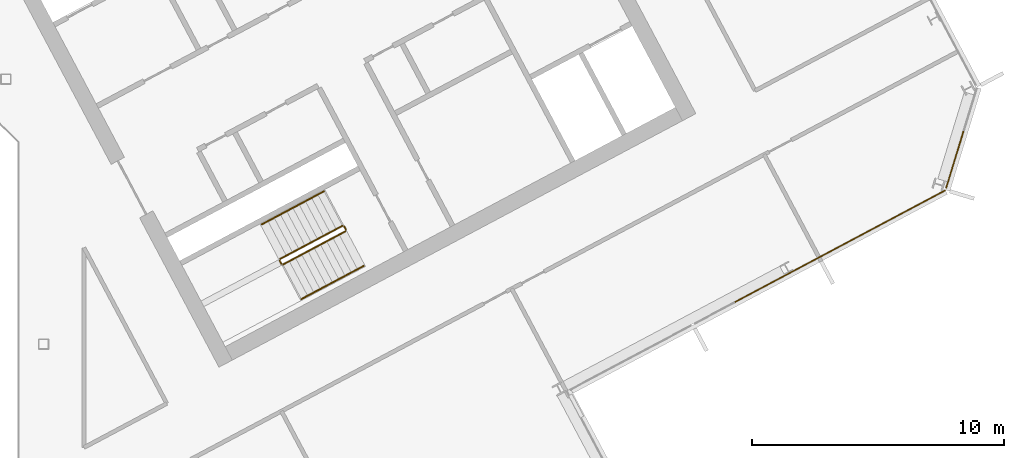
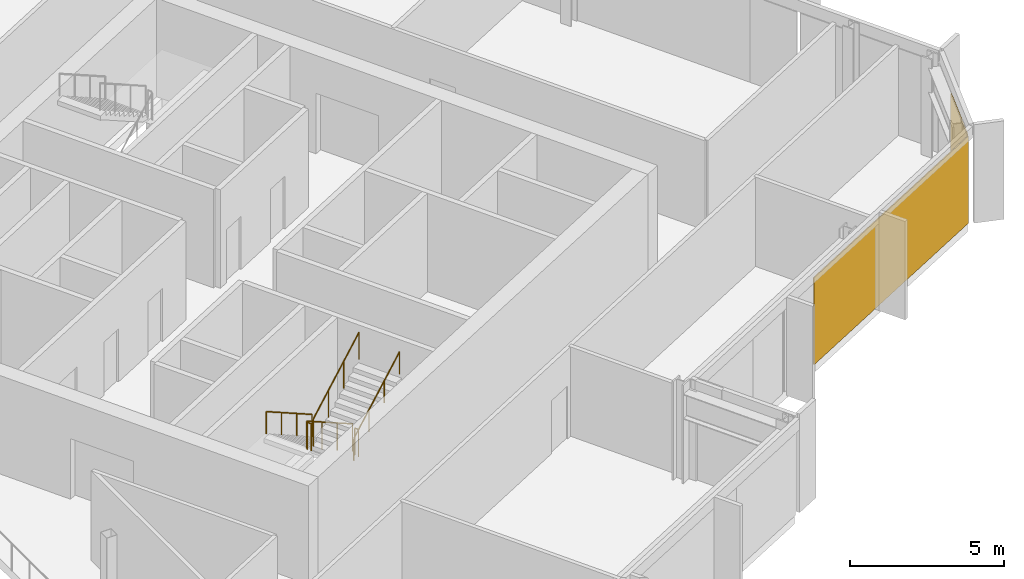
# One storey, part 24 of 26: 6 railings, 2 coverings, 2 elements without a shape of their own.
"""IFC4 building model written with IfcOpenShell, lengths in metres."""

import ifcopenshell
import ifcopenshell.guid

model = None  # the IFC model being written
_history = None  # IfcOwnerHistory: only IFC2X3 demands one
_inside = {}  # id of a spatial element -> (the spatial element, [elements in it])
_under = {}  # id of a project, library or spatial element -> (it, [spatial elements below it])
_declared = {}  # id of a project -> (the project, [libraries it declares])
_typed = {}  # id of a type object -> (the type object, [elements of that type])
_made_of = {}  # id of a material, layer set ... -> (it, [elements and type objects made of it])


def new_model(schema):
    """Start an empty IFC model of exactly this schema.

    Asked for "IFC4X3", IfcOpenShell would pick the latest addendum, in which some entities
    have other attributes; the version numbers below select the first issue.
    IFC2X3 requires an IfcOwnerHistory on every rooted entity: one is made here for all.
    """
    global model, _history
    if schema == "IFC4X3":
        model = ifcopenshell.file(schema_version=(4, 3, 0, 0))
    else:
        model = ifcopenshell.file(schema=schema)
    _inside.clear()
    _under.clear()
    _declared.clear()
    _typed.clear()
    _made_of.clear()
    _history = None
    if model.schema == "IFC2X3":
        org = make("IfcOrganization", Name="unknown")
        user = make(
            "IfcPersonAndOrganization",
            ThePerson=make("IfcPerson", FamilyName="unknown"),
            TheOrganization=org,
        )
        app = make(
            "IfcApplication",
            ApplicationDeveloper=org,
            Version="unknown",
            ApplicationFullName="unknown",
            ApplicationIdentifier="unknown",
        )
        _history = make(
            "IfcOwnerHistory",
            OwningUser=user,
            OwningApplication=app,
            ChangeAction="ADDED",
            CreationDate=0,
        )
    return model


def make(cls, **values):
    """One entity of the class cls with the attributes given. An attribute that is None is left unset."""
    return model.create_entity(
        cls, **{name: value for name, value in values.items() if value is not None}
    )


def rooted(cls, **values):
    """An entity with a GlobalId (a new one), such as an element, a storey or a relation."""
    return make(cls, GlobalId=ifcopenshell.guid.new(), OwnerHistory=_history, **values)


def si_unit(unit_type, name, prefix=None):
    """IfcSIUnit, for example si_unit("LENGTHUNIT", "METRE", prefix="MILLI")."""
    return make("IfcSIUnit", UnitType=unit_type, Prefix=prefix, Name=name)


def assignment(units):
    """IfcUnitAssignment: the units of a project."""
    return None if units is None else make("IfcUnitAssignment", Units=units)


def point(xyz):
    """IfcCartesianPoint."""
    return None if xyz is None else make("IfcCartesianPoint", Coordinates=xyz)


def direction(xyz):
    """IfcDirection."""
    return None if xyz is None else make("IfcDirection", DirectionRatios=xyz)


def frame(location, z_axis=None, x_axis=None):
    """IfcAxis2Placement3D, a coordinate frame: its origin and axes. An axis left out is left unset."""
    return make(
        "IfcAxis2Placement3D",
        Location=point(location),
        Axis=direction(z_axis),
        RefDirection=direction(x_axis),
    )


def frame_2d(location, x_axis=None):
    """IfcAxis2Placement2D, a coordinate frame in the plane: its origin and x axis."""
    return make(
        "IfcAxis2Placement2D", Location=point(location), RefDirection=direction(x_axis)
    )


def origin():
    """The frame at (0, 0, 0) with its axes left unset."""
    return frame((0.0, 0.0, 0.0))


def origin_2d():
    """The frame at (0, 0) in the plane with its x axis left unset."""
    return frame_2d((0.0, 0.0))


def place(relative_to, where):
    """IfcLocalPlacement: puts the frame where relative to a parent placement (None: the world)."""
    return make(
        "IfcLocalPlacement", PlacementRelTo=relative_to, RelativePlacement=where
    )


def context(
    kind, dimensions, precision=None, world=None, true_north=None, identifier=None
):
    """IfcGeometricRepresentationContext, for example the 3D "Model" context."""
    return make(
        "IfcGeometricRepresentationContext",
        ContextIdentifier=identifier,
        ContextType=kind,
        CoordinateSpaceDimension=dimensions,
        Precision=precision,
        WorldCoordinateSystem=world,
        TrueNorth=true_north,
    )


def subcontext(parent, identifier, kind, view, scale=None):
    """IfcGeometricRepresentationSubContext, for example "Body" below "Model"."""
    return make(
        "IfcGeometricRepresentationSubContext",
        ContextIdentifier=identifier,
        ContextType=kind,
        ParentContext=parent,
        TargetScale=scale,
        TargetView=view,
    )


def project(units=None, contexts=None):
    """IfcProject with its units and contexts."""
    return rooted(
        "IfcProject",
        Name="project",
        RepresentationContexts=contexts,
        UnitsInContext=assignment(units),
    )


def spatial(cls, under=None, at=None, **own):
    """A site, building, storey or space (cls), placed at a placement, below another one or the project."""
    s = rooted(cls, ObjectPlacement=at, **own)
    if under is not None:
        _under.setdefault(under.id(), (under, []))[1].append(s)
    return s


def polyline(points):
    """IfcPolyline through the points."""
    return make("IfcPolyline", Points=[point(p) for p in points])


def profile(cls, at=None, kind="AREA", **sizes):
    """A parametric profile (cls). Its sizes go by their IFC names, for example OverallWidth=200.0."""
    return make(cls, ProfileType=kind, Position=at, **sizes)


def rectangle(**sizes):
    """IfcRectangleProfileDef."""
    return profile("IfcRectangleProfileDef", **sizes)


def outline(outer, holes=None, kind="AREA"):
    """IfcArbitraryClosedProfileDef: a profile drawn as a closed curve; with holes, ...WithVoids."""
    if holes is None:
        return make("IfcArbitraryClosedProfileDef", ProfileType=kind, OuterCurve=outer)
    return make(
        "IfcArbitraryProfileDefWithVoids",
        ProfileType=kind,
        OuterCurve=outer,
        InnerCurves=holes,
    )


def extrude(swept, where, along, depth):
    """IfcExtrudedAreaSolid: the profile swept, set in the frame where, extruded along a direction by depth."""
    return make(
        "IfcExtrudedAreaSolid",
        SweptArea=swept,
        Position=where,
        ExtrudedDirection=direction(along),
        Depth=depth,
    )


def shape(context_of_items, identifier, shape_type, items):
    """IfcShapeRepresentation: the items that make up one representation, for example the "Body"."""
    return make(
        "IfcShapeRepresentation",
        ContextOfItems=context_of_items,
        RepresentationIdentifier=identifier,
        RepresentationType=shape_type,
        Items=items,
    )


def material(Name=None, Category=None):
    """IfcMaterial."""
    return make("IfcMaterial", Name=Name, Category=Category)


def layer(
    of_material, thickness, ventilated=None, Name=None, Category=None, Priority=None
):
    """IfcMaterialLayer: one layer of a wall or slab, of a material (None: an air gap)."""
    return make(
        "IfcMaterialLayer",
        Material=of_material,
        LayerThickness=thickness,
        IsVentilated=ventilated,
        Name=Name,
        Category=Category,
        Priority=Priority,
    )


def layer_set(layers, Name=None):
    """IfcMaterialLayerSet."""
    return make("IfcMaterialLayerSet", MaterialLayers=layers, LayerSetName=Name)


def made_of(thing, what):
    """Note that an element or type object is made of a material, layer set ...; save() writes the relation."""
    if what is not None:
        _made_of.setdefault(what.id(), (what, []))[1].append(thing)
    return thing


def type_object(cls, material=None, **own):
    """A type object (cls), such as IfcWallType, which elements share."""
    return made_of(rooted(cls, **own), material)


def element(
    cls,
    number,
    at=None,
    inside=None,
    cuts=None,
    type_object=None,
    material=None,
    context=None,
    identifier="Body",
    shape_type=None,
    held_by="IfcProductDefinitionShape",
    body=None,
    shapes=None,
    **own,
):
    """One element of the class cls, such as IfcWall. Its Tag is "e" and its number.

    at: its placement. inside: the storey or other place that contains it. cuts: it is an
    opening in that element (IfcRelVoidsElement). A single representation is given by context,
    identifier, shape_type and body (its items); several are given by shapes. held_by: the class
    of the entity that holds the representations. save() writes the other relations.
    """
    e = rooted(cls, Tag="e%d" % number, ObjectPlacement=at, **own)
    if body is not None:
        shapes = [shape(context, identifier, shape_type, body)]
    if shapes is not None:
        e.Representation = make(held_by, Representations=shapes)
    if inside is not None:
        _inside.setdefault(inside.id(), (inside, []))[1].append(e)
    if cuts is not None:
        rooted(
            "IfcRelVoidsElement", RelatingBuildingElement=cuts, RelatedOpeningElement=e
        )
    if type_object is not None:
        _typed.setdefault(type_object.id(), (type_object, []))[1].append(e)
    return made_of(e, material)


def aggregate(whole, parts):
    """IfcRelAggregates: a whole, such as a stair, and the parts it consists of."""
    return rooted("IfcRelAggregates", RelatingObject=whole, RelatedObjects=parts)


def save(model, path):
    """Write the relations noted so far, then the file.

    IfcRelAggregates (storeys below a building ...), IfcRelContainedInSpatialStructure (elements
    in a storey), IfcRelDefinesByType, IfcRelAssociatesMaterial and IfcRelDeclares: one each for
    every whole, place, type object, material and project.
    """
    for whole, parts in _under.values():
        aggregate(whole, parts)
    for where, things in _inside.values():
        rooted(
            "IfcRelContainedInSpatialStructure",
            RelatedElements=things,
            RelatingStructure=where,
        )
    for kind, things in _typed.values():
        rooted("IfcRelDefinesByType", RelatedObjects=things, RelatingType=kind)
    for what, things in _made_of.values():
        rooted("IfcRelAssociatesMaterial", RelatedObjects=things, RelatingMaterial=what)
    for by, libraries in _declared.values():
        rooted("IfcRelDeclares", RelatingContext=by, RelatedDefinitions=libraries)
    model.write(path)


model = new_model("IFC4")

# Units and contexts
model_context = context("Model", 3, precision=1e-05, world=origin(), true_north=direction((0.0, 1.0)))
body_context = subcontext(model_context, "Body", "Model", "MODEL_VIEW")
ifc_project = project(units=[si_unit("LENGTHUNIT", "METRE"), si_unit("AREAUNIT", "SQUARE_METRE"), si_unit("VOLUMEUNIT", "CUBIC_METRE"), si_unit("PLANEANGLEUNIT", "RADIAN"), si_unit("MASSUNIT", "GRAM", prefix="KILO")], contexts=[model_context])

# Site, building, storey
site_placement = place(None, origin())
site = spatial("IfcSite", under=ifc_project, at=site_placement, CompositionType="ELEMENT")
building_placement = place(site_placement, origin())
building = spatial("IfcBuilding", under=site, at=building_placement, Name="Cormorant Relay Tower", CompositionType="ELEMENT")
storey_placement = place(building_placement, frame((0.0, 0.0, 236.39990234375)))
storey = spatial("IfcBuildingStorey", under=building, at=storey_placement, Name="L52", CompositionType="ELEMENT", Elevation=236.39990234375)

# Curtain wall, covering
ifc_material_1 = material(Name="Aluminium 6063-T6 anodised bronze", Category="aluminium")
ifc_layer_1 = layer(ifc_material_1, 0.199951171875)
ifc_layer_set_1 = layer_set([ifc_layer_1], Name="CW1 unitised bronze curtain wall with vertical fins")
curtain_wall_type = type_object("IfcCurtainWallType", Name="CW1 unitised bronze curtain wall with vertical fins", PredefinedType="NOTDEFINED", material=ifc_layer_set_1)
curtain_wall_1_placement = place(storey_placement, origin())
curtain_wall_1 = element("IfcCurtainWall", 1, at=curtain_wall_1_placement, inside=storey, type_object=curtain_wall_type, Name="CW1 curtain wall 4", PredefinedType="NOTDEFINED")
ifc_material_2 = material(Name="Pale bronze anodised aluminium insulated panel", Category="aluminium")
ifc_layer_2 = layer(ifc_material_2, 0.0400390625)
ifc_layer_set_2 = layer_set([ifc_layer_2], Name="CW1 pale bronze insulated panel 40")
covering_type = type_object("IfcCoveringType", Name="CW1 pale bronze insulated panel 40", PredefinedType="CLADDING", material=ifc_layer_set_2)
covering_1_placement = place(storey_placement, frame((43.54736328125, 3.878173828125, 0.0), z_axis=(0.0, 0.0, 1.0), x_axis=(0.882947592859, 0.469471562786, 0.0)))
covering_1 = element("IfcCovering", 2, at=covering_1_placement, type_object=covering_type, Name="CW1 panel S03", PredefinedType="CLADDING", context=body_context, shape_type="SweptSolid", body=[
    extrude(rectangle(XDim=9.458251953125, YDim=0.0400390625, at=origin_2d()), origin(), (0.0, 0.0, 1.0), 3.449951171875),
])
aggregate(curtain_wall_1, [covering_1])

curtain_wall_2_placement = place(storey_placement, origin())
curtain_wall_2 = element("IfcCurtainWall", 3, at=curtain_wall_2_placement, inside=storey, type_object=curtain_wall_type, Name="CW1 curtain wall 5", PredefinedType="NOTDEFINED")
covering_2_placement = place(storey_placement, frame((48.100830078125, 7.314208984375, 0.0), z_axis=(0.0, 0.0, 1.0), x_axis=(0.292371704723, 0.956304755963, 0.0)))
covering_2 = element("IfcCovering", 4, at=covering_2_placement, type_object=covering_type, Name="CW1 panel S00", PredefinedType="CLADDING", context=body_context, shape_type="SweptSolid", body=[
    extrude(rectangle(XDim=2.36767578125, YDim=0.0400390625, at=origin_2d()), origin(), (0.0, 0.0, 1.0), 3.449951171875),
])
aggregate(curtain_wall_2, [covering_2])

# Railings
ifc_material_3 = material(Name="Steel ASTM A572 Grade 50 (Fy 345 MPa)", Category="steel")
railing_type_1 = type_object("IfcRailingType", Name="Stair guard 1100", PredefinedType="GUARDRAIL", material=ifc_material_3)
railing_1_placement = place(storey_placement, frame((23.83837890625, 4.6904296875, 0.177490234375)))
element("IfcRailing", 5, at=railing_1_placement, inside=storey, type_object=railing_type_1, Name="L52 B1 stair guard 1", PredefinedType="GUARDRAIL", context=body_context, shape_type="SweptSolid", body=[
    extrude(outline(polyline([(0.022216796875, 0.00927734375), (0.00927734375, 0.022216796875), (-0.00927734375, 0.022216796875), (-0.022216796875, 0.00927734375), (-0.022216796875, -0.00927734375), (-0.00927734375, -0.022216796875), (0.00927734375, -0.022216796875), (0.022216796875, -0.00927734375), (0.022216796875, 0.00927734375)])), frame((0.0, 0.0, 1.076171875), z_axis=(-0.746033882577, -0.396627473466, 0.534901947407), x_axis=(0.469429322983, -0.882970050864, 0.0)), (0.0, 0.0, 1.0), 3.31396484375),
    extrude(outline(polyline([(0.019287109375, 0.008056640625), (0.008056640625, 0.019287109375), (-0.008056640625, 0.019287109375), (-0.019287109375, 0.008056640625), (-0.019287109375, -0.008056640625), (-0.008056640625, -0.019287109375), (0.008056640625, -0.019287109375), (0.019287109375, -0.008056640625), (0.019287109375, 0.008056640625)])), origin(), (0.0, 0.0, 1.0), 1.052001953125),
    extrude(outline(polyline([(0.019287109375, 0.008056640625), (0.008056640625, 0.019287109375), (-0.008056640625, 0.019287109375), (-0.019287109375, 0.008056640625), (-0.019287109375, -0.008056640625), (-0.008056640625, -0.019287109375), (0.008056640625, -0.019287109375), (0.019287109375, -0.008056640625), (0.019287109375, 0.008056640625)])), frame((-0.82421875, -0.438232421875, 0.5908203125)), (0.0, 0.0, 1.0), 1.052001953125),
    extrude(outline(polyline([(0.019287109375, 0.008056640625), (0.008056640625, 0.019287109375), (-0.008056640625, 0.019287109375), (-0.019287109375, 0.008056640625), (-0.019287109375, -0.008056640625), (-0.008056640625, -0.019287109375), (0.008056640625, -0.019287109375), (0.019287109375, -0.008056640625), (0.019287109375, 0.008056640625)])), frame((-1.648193359375, -0.876220703125, 1.181884765625)), (0.0, 0.0, 1.0), 1.052001953125),
    extrude(outline(polyline([(0.019287109375, 0.008056640625), (0.008056640625, 0.019287109375), (-0.008056640625, 0.019287109375), (-0.019287109375, 0.008056640625), (-0.019287109375, -0.008056640625), (-0.008056640625, -0.019287109375), (0.008056640625, -0.019287109375), (0.019287109375, -0.008056640625), (0.019287109375, 0.008056640625)])), frame((-2.472412109375, -1.314453125, 1.772705078125)), (0.0, 0.0, 1.0), 1.052001953125),
])
railing_2_placement = place(storey_placement, frame((21.345458984375, 3.308349609375, 1.9501953125)))
element("IfcRailing", 6, at=railing_2_placement, inside=storey, type_object=railing_type_1, Name="L52 B1 stair guard 2", PredefinedType="GUARDRAIL", context=body_context, shape_type="SweptSolid", body=[
    extrude(outline(polyline([(0.022216796875, 0.00927734375), (0.00927734375, 0.022216796875), (-0.00927734375, 0.022216796875), (-0.022216796875, 0.00927734375), (-0.022216796875, -0.00927734375), (-0.00927734375, -0.022216796875), (0.00927734375, -0.022216796875), (0.022216796875, -0.00927734375), (0.022216796875, 0.00927734375)])), frame((0.0, 0.0, 1.076171875), z_axis=(0.46856034887, -0.8834314911, 0.0), x_axis=(0.8834314911, 0.46856034887, 0.0)), (0.0, 0.0, 1.0), 0.150146484375),
    extrude(outline(polyline([(0.019287109375, 0.008056640625), (0.008056640625, 0.019287109375), (-0.008056640625, 0.019287109375), (-0.019287109375, 0.008056640625), (-0.019287109375, -0.008056640625), (-0.008056640625, -0.019287109375), (0.008056640625, -0.019287109375), (0.019287109375, -0.008056640625), (0.019287109375, 0.008056640625)])), origin(), (0.0, 0.0, 1.0), 1.052001953125),
    extrude(outline(polyline([(0.019287109375, 0.008056640625), (0.008056640625, 0.019287109375), (-0.008056640625, 0.019287109375), (-0.019287109375, 0.008056640625), (-0.019287109375, -0.008056640625), (-0.008056640625, -0.019287109375), (0.008056640625, -0.019287109375), (0.019287109375, -0.008056640625), (0.019287109375, 0.008056640625)])), frame((0.0703125, -0.132568359375, 0.0)), (0.0, 0.0, 1.0), 1.052001953125),
])
railing_3_placement = place(storey_placement, frame((21.4833984375, 3.1552734375, 2.12744140625)))
element("IfcRailing", 7, at=railing_3_placement, inside=storey, type_object=railing_type_1, Name="L52 B1 stair guard 3", PredefinedType="GUARDRAIL", context=body_context, shape_type="SweptSolid", body=[
    extrude(outline(polyline([(0.022216796875, 0.00927734375), (0.00927734375, 0.022216796875), (-0.00927734375, 0.022216796875), (-0.022216796875, 0.00927734375), (-0.022216796875, -0.00927734375), (-0.00927734375, -0.022216796875), (0.00927734375, -0.022216796875), (0.022216796875, -0.00927734375), (0.022216796875, 0.00927734375)])), frame((0.0, 0.0, 1.076171875), z_axis=(0.746001213114, 0.396649272309, 0.534931345884), x_axis=(-0.469465464807, 0.882950835185, 0.0)), (0.0, 0.0, 1.0), 3.31396484375),
    extrude(outline(polyline([(0.019287109375, 0.008056640625), (0.008056640625, 0.019287109375), (-0.008056640625, 0.019287109375), (-0.019287109375, 0.008056640625), (-0.019287109375, -0.008056640625), (-0.008056640625, -0.019287109375), (0.008056640625, -0.019287109375), (0.019287109375, -0.008056640625), (0.019287109375, 0.008056640625)])), origin(), (0.0, 0.0, 1.0), 1.052001953125),
    extrude(outline(polyline([(0.019287109375, 0.008056640625), (0.008056640625, 0.019287109375), (-0.008056640625, 0.019287109375), (-0.019287109375, 0.008056640625), (-0.019287109375, -0.008056640625), (-0.008056640625, -0.019287109375), (0.008056640625, -0.019287109375), (0.019287109375, -0.008056640625), (0.019287109375, 0.008056640625)])), frame((0.823974609375, 0.438232421875, 0.5908203125)), (0.0, 0.0, 1.0), 1.052001953125),
    extrude(outline(polyline([(0.019287109375, 0.008056640625), (0.008056640625, 0.019287109375), (-0.008056640625, 0.019287109375), (-0.019287109375, 0.008056640625), (-0.019287109375, -0.008056640625), (-0.008056640625, -0.019287109375), (0.008056640625, -0.019287109375), (0.019287109375, -0.008056640625), (0.019287109375, 0.008056640625)])), frame((1.648193359375, 0.876220703125, 1.181884765625)), (0.0, 0.0, 1.0), 1.052001953125),
    extrude(outline(polyline([(0.019287109375, 0.008056640625), (0.008056640625, 0.019287109375), (-0.008056640625, 0.019287109375), (-0.019287109375, 0.008056640625), (-0.019287109375, -0.008056640625), (-0.008056640625, -0.019287109375), (0.008056640625, -0.019287109375), (0.019287109375, -0.008056640625), (0.019287109375, 0.008056640625)])), frame((2.47216796875, 1.314453125, 1.772705078125)), (0.0, 0.0, 1.0), 1.052001953125),
])
railing_4_placement = place(storey_placement, frame((23.906005859375, 4.669677734375, 0.0)))
element("IfcRailing", 8, at=railing_4_placement, inside=storey, type_object=railing_type_1, Name="L52 B1 stair guard 4", PredefinedType="GUARDRAIL", context=body_context, shape_type="SweptSolid", body=[
    extrude(outline(polyline([(0.022216796875, 0.00927734375), (0.00927734375, 0.022216796875), (-0.00927734375, 0.022216796875), (-0.022216796875, 0.00927734375), (-0.022216796875, -0.00927734375), (-0.00927734375, -0.022216796875), (0.00927734375, -0.022216796875), (0.022216796875, -0.00927734375), (0.022216796875, 0.00927734375)])), frame((0.0, 0.0, 1.076171875), z_axis=(0.469234640946, -0.883073525669, 0.0), x_axis=(0.883073525669, 0.469234640946, 0.0)), (0.0, 0.0, 1.0), 0.14990234375),
    extrude(outline(polyline([(0.019287109375, 0.008056640625), (0.008056640625, 0.019287109375), (-0.008056640625, 0.019287109375), (-0.019287109375, 0.008056640625), (-0.019287109375, -0.008056640625), (-0.008056640625, -0.019287109375), (0.008056640625, -0.019287109375), (0.019287109375, -0.008056640625), (0.019287109375, 0.008056640625)])), origin(), (0.0, 0.0, 1.0), 1.052001953125),
    extrude(outline(polyline([(0.019287109375, 0.008056640625), (0.008056640625, 0.019287109375), (-0.008056640625, 0.019287109375), (-0.019287109375, 0.008056640625), (-0.019287109375, -0.008056640625), (-0.008056640625, -0.019287109375), (0.008056640625, -0.019287109375), (0.019287109375, -0.008056640625), (0.019287109375, 0.008056640625)])), frame((0.0703125, -0.13232421875, 0.0)), (0.0, 0.0, 1.0), 1.052001953125),
])
ifc_material_4 = material(Name="Steel ASTM A572 Grade 50 (Fy 345 MPa)", Category="steel")
railing_type_2 = type_object("IfcRailingType", Name="Stair handrail 900", PredefinedType="HANDRAIL", material=ifc_material_4)
railing_5_placement = place(storey_placement, frame((23.110595703125, 6.05908203125, 0.177490234375)))
element("IfcRailing", 9, at=railing_5_placement, inside=storey, type_object=railing_type_2, Name="L52 B1 stair handrail 1", PredefinedType="HANDRAIL", context=body_context, shape_type="SweptSolid", body=[
    extrude(outline(polyline([(0.022216796875, 0.00927734375), (0.00927734375, 0.022216796875), (-0.00927734375, 0.022216796875), (-0.022216796875, 0.00927734375), (-0.022216796875, -0.00927734375), (-0.00927734375, -0.022216796875), (0.00927734375, -0.022216796875), (0.022216796875, -0.00927734375), (0.022216796875, 0.00927734375)])), frame((0.0, 0.0, 0.8759765625), z_axis=(-0.745979412481, -0.396711350603, 0.534915713414), x_axis=(0.469533439143, -0.882914689835, 0.0)), (0.0, 0.0, 1.0), 3.31396484375),
    extrude(outline(polyline([(0.019287109375, 0.008056640625), (0.008056640625, 0.019287109375), (-0.008056640625, 0.019287109375), (-0.019287109375, 0.008056640625), (-0.019287109375, -0.008056640625), (-0.008056640625, -0.019287109375), (0.008056640625, -0.019287109375), (0.019287109375, -0.008056640625), (0.019287109375, 0.008056640625)])), origin(), (0.0, 0.0, 1.0), 0.851806640625),
    extrude(outline(polyline([(0.019287109375, 0.008056640625), (0.008056640625, 0.019287109375), (-0.008056640625, 0.019287109375), (-0.019287109375, 0.008056640625), (-0.019287109375, -0.008056640625), (-0.008056640625, -0.019287109375), (0.008056640625, -0.019287109375), (0.019287109375, -0.008056640625), (0.019287109375, 0.008056640625)])), frame((-0.823974609375, -0.438232421875, 0.5908203125)), (0.0, 0.0, 1.0), 0.851806640625),
    extrude(outline(polyline([(0.019287109375, 0.008056640625), (0.008056640625, 0.019287109375), (-0.008056640625, 0.019287109375), (-0.019287109375, 0.008056640625), (-0.019287109375, -0.008056640625), (-0.008056640625, -0.019287109375), (0.008056640625, -0.019287109375), (0.019287109375, -0.008056640625), (0.019287109375, 0.008056640625)])), frame((-1.648193359375, -0.87646484375, 1.181884765625)), (0.0, 0.0, 1.0), 0.851806640625),
    extrude(outline(polyline([(0.019287109375, 0.008056640625), (0.008056640625, 0.019287109375), (-0.008056640625, 0.019287109375), (-0.019287109375, 0.008056640625), (-0.019287109375, -0.008056640625), (-0.008056640625, -0.019287109375), (0.008056640625, -0.019287109375), (0.019287109375, -0.008056640625), (0.019287109375, 0.008056640625)])), frame((-2.47216796875, -1.314697265625, 1.772705078125)), (0.0, 0.0, 1.0), 0.851806640625),
])
railing_6_placement = place(storey_placement, frame((22.211181640625, 1.78662109375, 2.12744140625)))
element("IfcRailing", 10, at=railing_6_placement, inside=storey, type_object=railing_type_2, Name="L52 B1 stair handrail 2", PredefinedType="HANDRAIL", context=body_context, shape_type="SweptSolid", body=[
    extrude(outline(polyline([(0.022216796875, 0.00927734375), (0.00927734375, 0.022216796875), (-0.00927734375, 0.022216796875), (-0.022216796875, 0.00927734375), (-0.022216796875, -0.00927734375), (-0.00927734375, -0.022216796875), (0.00927734375, -0.022216796875), (0.022216796875, -0.00927734375), (0.022216796875, 0.00927734375)])), frame((0.0, 0.0, 0.8759765625), z_axis=(0.746001213114, 0.396649272309, 0.534931345884), x_axis=(-0.469465464807, 0.882950835185, 0.0)), (0.0, 0.0, 1.0), 3.31396484375),
    extrude(outline(polyline([(0.019287109375, 0.008056640625), (0.008056640625, 0.019287109375), (-0.008056640625, 0.019287109375), (-0.019287109375, 0.008056640625), (-0.019287109375, -0.008056640625), (-0.008056640625, -0.019287109375), (0.008056640625, -0.019287109375), (0.019287109375, -0.008056640625), (0.019287109375, 0.008056640625)])), origin(), (0.0, 0.0, 1.0), 0.851806640625),
    extrude(outline(polyline([(0.019287109375, 0.008056640625), (0.008056640625, 0.019287109375), (-0.008056640625, 0.019287109375), (-0.019287109375, 0.008056640625), (-0.019287109375, -0.008056640625), (-0.008056640625, -0.019287109375), (0.008056640625, -0.019287109375), (0.019287109375, -0.008056640625), (0.019287109375, 0.008056640625)])), frame((0.823974609375, 0.438232421875, 0.5908203125)), (0.0, 0.0, 1.0), 0.851806640625),
    extrude(outline(polyline([(0.019287109375, 0.008056640625), (0.008056640625, 0.019287109375), (-0.008056640625, 0.019287109375), (-0.019287109375, 0.008056640625), (-0.019287109375, -0.008056640625), (-0.008056640625, -0.019287109375), (0.008056640625, -0.019287109375), (0.019287109375, -0.008056640625), (0.019287109375, 0.008056640625)])), frame((1.648193359375, 0.876220703125, 1.181884765625)), (0.0, 0.0, 1.0), 0.851806640625),
    extrude(outline(polyline([(0.019287109375, 0.008056640625), (0.008056640625, 0.019287109375), (-0.008056640625, 0.019287109375), (-0.019287109375, 0.008056640625), (-0.019287109375, -0.008056640625), (-0.008056640625, -0.019287109375), (0.008056640625, -0.019287109375), (0.019287109375, -0.008056640625), (0.019287109375, 0.008056640625)])), frame((2.47216796875, 1.314453125, 1.772705078125)), (0.0, 0.0, 1.0), 0.851806640625),
])

save(model, "model.ifc")
